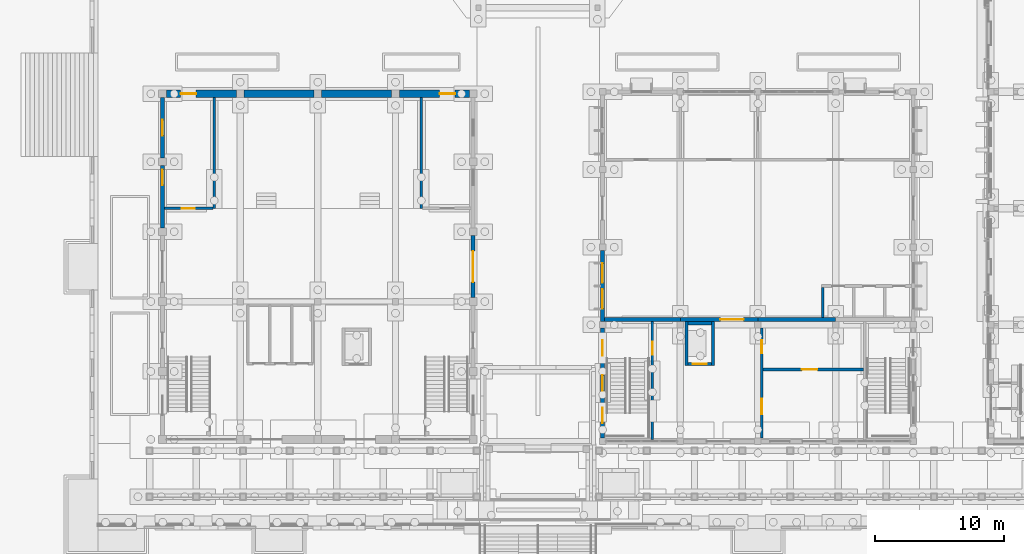
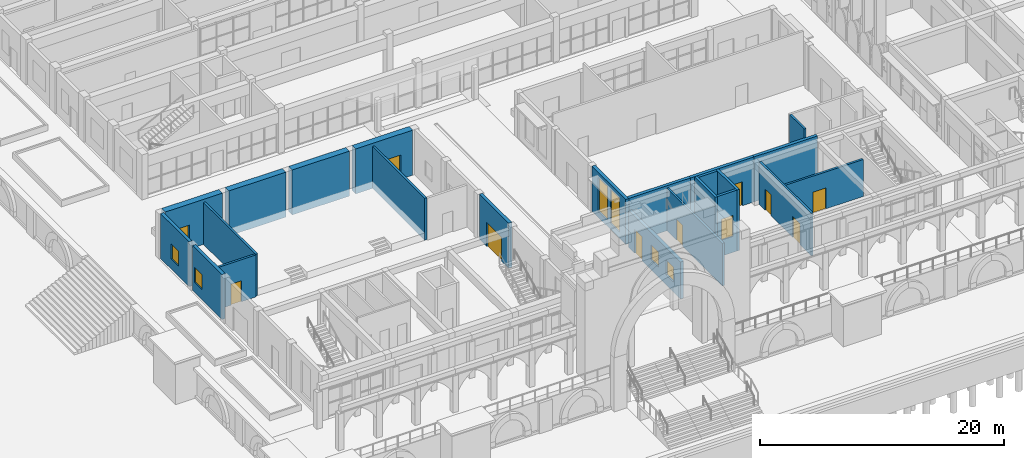
# One storey, part 54 of 161: 23 walls, 11 doors, 6 windows, 17 openings.
"""IFC4 building model written with IfcOpenShell, lengths in metres."""

from ifc_helpers import new_model, si_unit, direction, frame, frame_2d, origin, place, context, subcontext, project, spatial, rectangle, extrude, material, layer, layer_set, type_object, element, fill, save


model = new_model("IFC4")

# Units and contexts
model_context = context("Model", 3, precision=1e-05, world=origin(), true_north=direction((0.0, 1.0)))
body_context = subcontext(model_context, "Body", "Model", "MODEL_VIEW")
ifc_project = project(units=[si_unit("LENGTHUNIT", "METRE"), si_unit("AREAUNIT", "SQUARE_METRE"), si_unit("VOLUMEUNIT", "CUBIC_METRE"), si_unit("PLANEANGLEUNIT", "RADIAN"), si_unit("MASSUNIT", "GRAM", prefix="KILO")], contexts=[model_context])

# Site, building, storey
site_placement = place(None, origin())
site = spatial("IfcSite", under=ifc_project, at=site_placement, CompositionType="ELEMENT")
building_placement = place(site_placement, origin())
building = spatial("IfcBuilding", under=site, at=building_placement, Name="Elbe Cascade School", CompositionType="ELEMENT")
storey_placement = place(building_placement, origin())
storey = spatial("IfcBuildingStorey", under=building, at=storey_placement, Name="L00", CompositionType="ELEMENT", Elevation=0.0)

# Wall, opening, window
ifc_material_1 = material(Name="Concrete C30/37", Category="concrete")
ifc_layer_1 = layer(ifc_material_1, 0.300048828125)
ifc_layer_set_1 = layer_set([ifc_layer_1], Name="Concrete C30/37")
wall_type_1 = type_object("IfcWallType", Name="Assembly hall RC wall 300", PredefinedType="SOLIDWALL", material=ifc_layer_set_1)
wall_1_placement = place(storey_placement, frame((5.0, 22.5, 0.0), z_axis=(0.0, 0.0, 1.0), x_axis=(0.0, 1.0, 0.0)))
wall_1 = element("IfcWall", 1, at=wall_1_placement, inside=storey, type_object=wall_type_1, Name="Assembly hall RC wall 300 W5", PredefinedType="SOLIDWALL", context=body_context, shape_type="SweptSolid", body=[
    extrude(rectangle(XDim=4.800048828125, YDim=0.300048828125, at=frame_2d((2.39990234375, 0.0))), origin(), (0.0, 0.0, 1.0), 4.5),
])
opening_1_placement = place(wall_1_placement, frame((3.300048828125, 0.0, 1.0)))
opening_1 = element("IfcOpeningElement", 2, at=opening_1_placement, cuts=wall_1, Name="Opening W0.139", PredefinedType="OPENING", context=body_context, shape_type="SweptSolid", body=[
    extrude(rectangle(XDim=1.199951171875, YDim=1.5, at=frame_2d((0.60009765625, 0.75))), frame((0.0, 0.159912109375, 0.0), z_axis=(0.0, -1.0, 0.0), x_axis=(1.0, 0.0, 0.0)), (0.0, 0.0, 1.0), 0.320068359375),
])
ifc_material_2 = material(Name="Aluminium - bronze anodised", Category="aluminium")
window_type_1 = type_object("IfcWindowType", Name="Assembly hall small window 1200x1500 sill 1000", PartitioningType="SINGLE_PANEL", PredefinedType="WINDOW", material=ifc_material_2)
window_1_placement = place(opening_1_placement, origin())
window_1 = element("IfcWindow", 3, at=window_1_placement, inside=storey, type_object=window_type_1, Name="Assembly hall small window 1200x1500 sill 1000 W0.139", OverallHeight=1.5, OverallWidth=1.199951171875, PartitioningType="SINGLE_PANEL", PredefinedType="WINDOW", context=body_context, shape_type="SweptSolid", body=[
    extrude(rectangle(XDim=1.199951171875, YDim=1.5, at=frame_2d((0.60009765625, 0.75))), frame((0.0, 0.030029296875, 0.0), z_axis=(0.0, -1.0, 0.0), x_axis=(1.0, 0.0, 0.0)), (0.0, 0.0, 1.0), 0.06005859375),
])
fill(opening_1, window_1)

wall_2_placement = place(storey_placement, frame((5.0, 27.89990234375, 0.0), z_axis=(0.0, 0.0, 1.0), x_axis=(0.0, 1.0, 0.0)))
wall_2 = element("IfcWall", 4, at=wall_2_placement, inside=storey, type_object=wall_type_1, Name="Assembly hall RC wall 300 W5", PredefinedType="SOLIDWALL", context=body_context, shape_type="SweptSolid", body=[
    extrude(rectangle(XDim=4.650146484375, YDim=0.300048828125, at=frame_2d((2.3251953125, 0.0))), origin(), (0.0, 0.0, 1.0), 4.5),
])
opening_2_placement = place(wall_2_placement, frame((1.72509765625, 0.0, 1.0)))
opening_2 = element("IfcOpeningElement", 5, at=opening_2_placement, cuts=wall_2, Name="Opening W0.141", PredefinedType="OPENING", context=body_context, shape_type="SweptSolid", body=[
    extrude(rectangle(XDim=1.199951171875, YDim=1.5, at=frame_2d((0.60009765625, 0.75))), frame((0.0, 0.159912109375, 0.0), z_axis=(0.0, -1.0, 0.0), x_axis=(1.0, 0.0, 0.0)), (0.0, 0.0, 1.0), 0.320068359375),
])
window_2_placement = place(opening_2_placement, origin())
window_2 = element("IfcWindow", 6, at=window_2_placement, inside=storey, type_object=window_type_1, Name="Assembly hall small window 1200x1500 sill 1000 W0.141", OverallHeight=1.5, OverallWidth=1.199951171875, PartitioningType="SINGLE_PANEL", PredefinedType="WINDOW", context=body_context, shape_type="SweptSolid", body=[
    extrude(rectangle(XDim=1.199951171875, YDim=1.5, at=frame_2d((0.60009765625, 0.75))), frame((0.0, 0.030029296875, 0.0), z_axis=(0.0, -1.0, 0.0), x_axis=(1.0, 0.0, 0.0)), (0.0, 0.0, 1.0), 0.06005859375),
])
fill(opening_2, window_2)

# Wall, opening, door
wall_3_placement = place(storey_placement, frame((29.0, 21.89990234375, 0.0), z_axis=(0.0, 0.0, 1.0), x_axis=(0.0, -1.0, 0.0)))
wall_3 = element("IfcWall", 7, at=wall_3_placement, inside=storey, type_object=wall_type_1, Name="Assembly hall RC wall 300 W5", PredefinedType="SOLIDWALL", context=body_context, shape_type="SweptSolid", body=[
    extrude(rectangle(XDim=4.7998046875, YDim=0.300048828125, at=frame_2d((2.39990234375, 0.0))), origin(), (0.0, 0.0, 1.0), 4.5),
])
opening_3_placement = place(wall_3_placement, frame((1.199951171875, 0.0, 0.0)))
opening_3 = element("IfcOpeningElement", 8, at=opening_3_placement, cuts=wall_3, Name="Opening D0.164", PredefinedType="OPENING", context=body_context, shape_type="SweptSolid", body=[
    extrude(rectangle(XDim=2.39990234375, YDim=2.39990234375, at=frame_2d((1.199951171875, 1.199951171875))), frame((0.0, 0.159912109375, 0.0), z_axis=(0.0, -1.0, 0.0), x_axis=(1.0, 0.0, 0.0)), (0.0, 0.0, 1.0), 0.320068359375),
])
ifc_material_3 = material(Name="Timber - oak door leaf", Category="wood")
door_type_1 = type_object("IfcDoorType", Name="Assembly hall exit door 2400x2400 double NOT RATED", OperationType="DOUBLE_DOOR_SINGLE_SWING", PredefinedType="NOTDEFINED", material=ifc_material_3)
door_1_placement = place(opening_3_placement, origin())
door_1 = element("IfcDoor", 9, at=door_1_placement, inside=storey, type_object=door_type_1, Name="Assembly hall exit door 2400x2400 double NOT RATED D0.164", OperationType="DOUBLE_DOOR_SINGLE_SWING", OverallHeight=2.39990234375, OverallWidth=2.39990234375, PredefinedType="NOTDEFINED", context=body_context, shape_type="SweptSolid", body=[
    extrude(rectangle(XDim=2.39990234375, YDim=2.39990234375, at=frame_2d((1.199951171875, 1.199951171875))), frame((0.0, 0.02490234375, 0.0), z_axis=(0.0, -1.0, 0.0), x_axis=(1.0, 0.0, 0.0)), (0.0, 0.0, 1.0), 0.050048828125),
])
fill(opening_3, door_1)

# Walls
ifc_material_4 = material(Name="Concrete C30/37", Category="concrete")
ifc_layer_2 = layer(ifc_material_4, 0.199951171875)
ifc_layer_set_2 = layer_set([ifc_layer_2], Name="Concrete C30/37")
wall_type_2 = type_object("IfcWallType", Name="Assembly hall concrete partition wall 200", PredefinedType="SOLIDWALL", material=ifc_layer_set_2)
for number, where, z_axis, x_axis, name in (
    (10, (9.0, 24.0, 0.0), (0.0, 0.0, 1.0), (0.0, 1.0, 0.0), "Assembly hall concrete partition wall 200 W9"),
    (11, (25.0, 24.0, 0.0), (0.0, 0.0, 1.0), (0.0, 1.0, 0.0), "Assembly hall concrete partition wall 200 W9"),
):
    element("IfcWall", number, at=place(storey_placement, frame(where, z_axis=z_axis, x_axis=x_axis)), inside=storey, type_object=wall_type_2, Name=name, PredefinedType="SOLIDWALL", context=body_context, shape_type="SweptSolid", body=[
        extrude(rectangle(XDim=8.550048828125, YDim=0.199951171875, at=frame_2d((4.27490234375, 0.0))), origin(), (0.0, 0.0, 1.0), 4.199951171875),
    ])

# Wall, opening, door
wall_4_placement = place(storey_placement, frame((5.14990234375, 24.0, 0.0), z_axis=(0.0, 0.0, 1.0), x_axis=(1.0, 0.0, 0.0)))
wall_4 = element("IfcWall", 12, at=wall_4_placement, inside=storey, type_object=wall_type_2, Name="Assembly hall concrete partition wall 200 W9", PredefinedType="SOLIDWALL", context=body_context, shape_type="SweptSolid", body=[
    extrude(rectangle(XDim=3.75, YDim=0.199951171875, at=frame_2d((1.875, 0.0))), origin(), (0.0, 0.0, 1.0), 4.199951171875),
])
opening_4_placement = place(wall_4_placement, frame((1.35009765625, 0.0, 0.0)))
opening_4 = element("IfcOpeningElement", 13, at=opening_4_placement, cuts=wall_4, Name="Opening D0.165", PredefinedType="OPENING", context=body_context, shape_type="SweptSolid", body=[
    extrude(rectangle(XDim=1.0, YDim=2.10009765625, at=frame_2d((0.5, 1.050048828125))), frame((0.0, 0.10986328125, 0.0), z_axis=(0.0, -1.0, 0.0), x_axis=(1.0, 0.0, 0.0)), (0.0, 0.0, 1.0), 0.219970703125),
])
ifc_material_5 = material(Name="Timber - oak door leaf", Category="wood")
door_type_2 = type_object("IfcDoorType", Name="Assembly hall back-of-house door 1000x2100 swing NOT RATED", OperationType="NOTDEFINED", PredefinedType="NOTDEFINED", material=ifc_material_5)
door_2_placement = place(opening_4_placement, origin())
door_2 = element("IfcDoor", 14, at=door_2_placement, inside=storey, type_object=door_type_2, Name="Assembly hall back-of-house door 1000x2100 swing NOT RATED D0.165", OperationType="SINGLE_SWING_LEFT", OverallHeight=2.10009765625, OverallWidth=1.0, PredefinedType="NOTDEFINED", context=body_context, shape_type="SweptSolid", body=[
    extrude(rectangle(XDim=1.0, YDim=2.10009765625, at=frame_2d((0.5, 1.050048828125))), frame((0.0, 0.02490234375, 0.0), z_axis=(0.0, -1.0, 0.0), x_axis=(1.0, 0.0, 0.0)), (0.0, 0.0, 1.0), 0.050048828125),
])
fill(opening_4, door_2)

ifc_material_6 = material(Name="Concrete C30/37", Category="concrete")
ifc_layer_3 = layer(ifc_material_6, 0.60009765625)
ifc_layer_set_3 = layer_set([ifc_layer_3], Name="Concrete C30/37")
wall_type_3 = type_object("IfcWallType", Name="Assembly hall gable wall 600", PredefinedType="SOLIDWALL", material=ifc_layer_set_3)
wall_5_placement = place(storey_placement, frame((5.300048828125, 32.85009765625, 0.0), z_axis=(0.0, 0.0, 1.0), x_axis=(1.0, 0.0, 0.0)))
wall_5 = element("IfcWall", 15, at=wall_5_placement, inside=storey, type_object=wall_type_3, Name="Assembly hall gable wall 600 W6", PredefinedType="SOLIDWALL", context=body_context, shape_type="SweptSolid", body=[
    extrude(rectangle(XDim=5.39990234375, YDim=0.60009765625, at=frame_2d((2.699951171875, 0.0))), origin(), (0.0, 0.0, 1.0), 4.5),
])
opening_5_placement = place(wall_5_placement, frame((1.10009765625, 0.0, 0.0)))
opening_5 = element("IfcOpeningElement", 16, at=opening_5_placement, cuts=wall_5, Name="Opening D0.167", PredefinedType="OPENING", context=body_context, shape_type="SweptSolid", body=[
    extrude(rectangle(XDim=1.199951171875, YDim=2.39990234375, at=frame_2d((0.60009765625, 1.199951171875))), frame((0.0, 0.31005859375, 0.0), z_axis=(0.0, -1.0, 0.0), x_axis=(1.0, 0.0, 0.0)), (0.0, 0.0, 1.0), 0.6201171875),
])
ifc_material_7 = material(Name="Timber - oak door leaf", Category="wood")
door_type_3 = type_object("IfcDoorType", Name="Assembly hall stage door 1200x2400 swing NOT RATED", OperationType="NOTDEFINED", PredefinedType="NOTDEFINED", material=ifc_material_7)
door_3_placement = place(opening_5_placement, origin())
door_3 = element("IfcDoor", 17, at=door_3_placement, inside=storey, type_object=door_type_3, Name="Assembly hall stage door 1200x2400 swing NOT RATED D0.167", OperationType="SINGLE_SWING_RIGHT", OverallHeight=2.39990234375, OverallWidth=1.199951171875, PredefinedType="NOTDEFINED", context=body_context, shape_type="SweptSolid", body=[
    extrude(rectangle(XDim=1.199951171875, YDim=2.39990234375, at=frame_2d((0.60009765625, 1.199951171875))), frame((0.0, 0.02490234375, 0.0), z_axis=(0.0, -1.0, 0.0), x_axis=(1.0, 0.0, 0.0)), (0.0, 0.0, 1.0), 0.050048828125),
])
fill(opening_5, door_3)

# Walls
for number, where, z_axis, x_axis, name in (
    (18, (11.300048828125, 32.85009765625, 0.0), (0.0, 0.0, 1.0), (1.0, 0.0, 0.0), "Assembly hall gable wall 600 W6"),
    (19, (17.300048828125, 32.85009765625, 0.0), (0.0, 0.0, 1.0), (1.0, 0.0, 0.0), "Assembly hall gable wall 600 W6"),
):
    element("IfcWall", number, at=place(storey_placement, frame(where, z_axis=z_axis, x_axis=x_axis)), inside=storey, type_object=wall_type_3, Name=name, PredefinedType="SOLIDWALL", context=body_context, shape_type="SweptSolid", body=[
        extrude(rectangle(XDim=5.39990234375, YDim=0.60009765625, at=frame_2d((2.699951171875, 0.0))), origin(), (0.0, 0.0, 1.0), 4.5),
    ])

# Wall, opening, door
wall_6_placement = place(storey_placement, frame((23.300048828125, 32.85009765625, 0.0), z_axis=(0.0, 0.0, 1.0), x_axis=(1.0, 0.0, 0.0)))
wall_6 = element("IfcWall", 20, at=wall_6_placement, inside=storey, type_object=wall_type_3, Name="Assembly hall gable wall 600 W6", PredefinedType="SOLIDWALL", context=body_context, shape_type="SweptSolid", body=[
    extrude(rectangle(XDim=5.39990234375, YDim=0.60009765625, at=frame_2d((2.699951171875, 0.0))), origin(), (0.0, 0.0, 1.0), 4.5),
])
opening_6_placement = place(wall_6_placement, frame((3.10009765625, 0.0, 0.0)))
opening_6 = element("IfcOpeningElement", 21, at=opening_6_placement, cuts=wall_6, Name="Opening D0.168", PredefinedType="OPENING", context=body_context, shape_type="SweptSolid", body=[
    extrude(rectangle(XDim=1.199951171875, YDim=2.39990234375, at=frame_2d((0.60009765625, 1.199951171875))), frame((0.0, 0.31005859375, 0.0), z_axis=(0.0, -1.0, 0.0), x_axis=(1.0, 0.0, 0.0)), (0.0, 0.0, 1.0), 0.6201171875),
])
door_4_placement = place(opening_6_placement, origin())
door_4 = element("IfcDoor", 22, at=door_4_placement, inside=storey, type_object=door_type_3, Name="Assembly hall stage door 1200x2400 swing NOT RATED D0.168", OperationType="SINGLE_SWING_LEFT", OverallHeight=2.39990234375, OverallWidth=1.199951171875, PredefinedType="NOTDEFINED", context=body_context, shape_type="SweptSolid", body=[
    extrude(rectangle(XDim=1.199951171875, YDim=2.39990234375, at=frame_2d((0.60009765625, 1.199951171875))), frame((0.0, 0.02490234375, 0.0), z_axis=(0.0, -1.0, 0.0), x_axis=(1.0, 0.0, 0.0)), (0.0, 0.0, 1.0), 0.050048828125),
])
fill(opening_6, door_4)

# Walls
ifc_material_8 = material(Name="Concrete C30/37", Category="concrete")
ifc_layer_4 = layer(ifc_material_8, 0.25)
ifc_layer_set_4 = layer_set([ifc_layer_4], Name="Concrete C30/37")
wall_type_4 = type_object("IfcWallType", Name="Cafe lift shaft wall 250", PredefinedType="SHEAR", material=ifc_layer_set_4)
for number, where, z_axis, x_axis, name in (
    (23, (45.47509765625, 11.85009765625, -1.60009765625), (0.0, 0.0, 1.0), (0.0, 1.0, 0.0), "Cafe lift shaft wall 250 W13"),
    (24, (47.52490234375, 11.85009765625, -1.60009765625), (0.0, 0.0, 1.0), (0.0, 1.0, 0.0), "Cafe lift shaft wall 250 W13"),
):
    element("IfcWall", number, at=place(storey_placement, frame(where, z_axis=z_axis, x_axis=x_axis)), inside=storey, type_object=wall_type_4, Name=name, PredefinedType="SHEAR", context=body_context, shape_type="SweptSolid", body=[
        extrude(rectangle(XDim=3.39990234375, YDim=0.25, at=frame_2d((1.699951171875, 0.0))), origin(), (0.0, 0.0, 1.0), 6.10009765625),
    ])

# Wall, opening, door
wall_7_placement = place(storey_placement, frame((45.60009765625, 11.97509765625, -1.60009765625), z_axis=(0.0, 0.0, 1.0), x_axis=(1.0, 0.0, 0.0)))
wall_7 = element("IfcWall", 25, at=wall_7_placement, inside=storey, type_object=wall_type_4, Name="Cafe lift shaft wall 250 W13", PredefinedType="SHEAR", context=body_context, shape_type="SweptSolid", body=[
    extrude(rectangle(XDim=1.7998046875, YDim=0.25, at=frame_2d((0.89990234375, 0.0))), origin(), (0.0, 0.0, 1.0), 6.10009765625),
])
opening_7_placement = place(wall_7_placement, frame((0.35009765625, 0.0, 1.60009765625)))
opening_7 = element("IfcOpeningElement", 26, at=opening_7_placement, cuts=wall_7, Name="Opening D0.173", PredefinedType="OPENING", context=body_context, shape_type="SweptSolid", body=[
    extrude(rectangle(XDim=1.10009765625, YDim=2.10009765625, at=frame_2d((0.550048828125, 1.050048828125))), frame((0.0, 0.135009765625, 0.0), z_axis=(0.0, -1.0, 0.0), x_axis=(1.0, 0.0, 0.0)), (0.0, 0.0, 1.0), 0.27001953125),
])
ifc_material_9 = material(Name="Steel - fire door leaf", Category="steel")
door_type_4 = type_object("IfcDoorType", Name="Cafe lift landing door 1100x2100 slide FD60", OperationType="SLIDING_TO_LEFT", PredefinedType="NOTDEFINED", material=ifc_material_9)
door_5_placement = place(opening_7_placement, origin())
door_5 = element("IfcDoor", 27, at=door_5_placement, inside=storey, type_object=door_type_4, Name="Cafe lift landing door 1100x2100 slide FD60 D0.173", OperationType="SLIDING_TO_LEFT", OverallHeight=2.10009765625, OverallWidth=1.10009765625, PredefinedType="NOTDEFINED", context=body_context, shape_type="SweptSolid", body=[
    extrude(rectangle(XDim=1.10009765625, YDim=2.10009765625, at=frame_2d((0.550048828125, 1.050048828125))), frame((0.0, 0.02490234375, 0.0), z_axis=(0.0, -1.0, 0.0), x_axis=(1.0, 0.0, 0.0)), (0.0, 0.0, 1.0), 0.050048828125),
])
fill(opening_7, door_5)

# Wall
wall_8_placement = place(storey_placement, frame((45.60009765625, 15.125, -1.60009765625), z_axis=(0.0, 0.0, 1.0), x_axis=(1.0, 0.0, 0.0)))
element("IfcWall", 28, at=wall_8_placement, inside=storey, type_object=wall_type_4, Name="Cafe lift shaft wall 250 W13", PredefinedType="SHEAR", context=body_context, shape_type="SweptSolid", body=[
    extrude(rectangle(XDim=1.7998046875, YDim=0.25, at=frame_2d((0.89990234375, 0.0))), origin(), (0.0, 0.0, 1.0), 6.10009765625),
])

# Wall, openings, doors
ifc_material_10 = material(Name="Masonry - rendered blockwork", Category="masonry")
ifc_layer_5 = layer(ifc_material_10, 0.199951171875)
ifc_layer_set_5 = layer_set([ifc_layer_5], Name="Masonry - rendered blockwork")
wall_type_5 = type_object("IfcWallType", Name="Cafe partition wall 200", PredefinedType="PARTITIONING", material=ifc_layer_set_5)
wall_9_placement = place(storey_placement, frame((51.300048828125, 6.25, 0.0), z_axis=(0.0, 0.0, 1.0), x_axis=(0.0, 1.0, 0.0)))
wall_9 = element("IfcWall", 29, at=wall_9_placement, inside=storey, type_object=wall_type_5, Name="Cafe partition wall 200 W40", PredefinedType="PARTITIONING", context=body_context, shape_type="SweptSolid", body=[
    extrude(rectangle(XDim=8.5, YDim=0.199951171875, at=frame_2d((4.25, 0.0))), origin(), (0.0, 0.0, 1.0), 4.25),
])
opening_8_placement = place(wall_9_placement, frame((1.85009765625, 0.0, 0.0)))
opening_8 = element("IfcOpeningElement", 30, at=opening_8_placement, cuts=wall_9, Name="Opening D0.171", PredefinedType="OPENING", context=body_context, shape_type="SweptSolid", body=[
    extrude(rectangle(XDim=1.199951171875, YDim=2.10009765625, at=frame_2d((0.60009765625, 1.050048828125))), frame((0.0, 0.10986328125, 0.0), z_axis=(0.0, -1.0, 0.0), x_axis=(1.0, 0.0, 0.0)), (0.0, 0.0, 1.0), 0.219970703125),
])
opening_9_placement = place(wall_9_placement, frame((6.550048828125, 0.0, 0.0)))
opening_9 = element("IfcOpeningElement", 31, at=opening_9_placement, cuts=wall_9, Name="Opening D0.177", PredefinedType="OPENING", context=body_context, shape_type="SweptSolid", body=[
    extrude(rectangle(XDim=1.0, YDim=2.10009765625, at=frame_2d((0.5, 1.050048828125))), frame((0.0, 0.10986328125, 0.0), z_axis=(0.0, -1.0, 0.0), x_axis=(1.0, 0.0, 0.0)), (0.0, 0.0, 1.0), 0.219970703125),
])
ifc_material_11 = material(Name="Timber - oak door leaf", Category="wood")
door_type_5 = type_object("IfcDoorType", Name="Cafe interior door 1200x2100 swing NOT RATED", OperationType="NOTDEFINED", PredefinedType="NOTDEFINED", material=ifc_material_11)
door_6_placement = place(opening_8_placement, origin())
door_6 = element("IfcDoor", 32, at=door_6_placement, inside=storey, type_object=door_type_5, Name="Cafe interior door 1200x2100 swing NOT RATED D0.171", OperationType="SINGLE_SWING_LEFT", OverallHeight=2.10009765625, OverallWidth=1.199951171875, PredefinedType="NOTDEFINED", context=body_context, shape_type="SweptSolid", body=[
    extrude(rectangle(XDim=1.199951171875, YDim=2.10009765625, at=frame_2d((0.60009765625, 1.050048828125))), frame((0.0, 0.02490234375, 0.0), z_axis=(0.0, -1.0, 0.0), x_axis=(1.0, 0.0, 0.0)), (0.0, 0.0, 1.0), 0.050048828125),
])
fill(opening_8, door_6)
ifc_material_12 = material(Name="Timber - oak door leaf", Category="wood")
door_type_6 = type_object("IfcDoorType", Name="Cafe service door 1000x2100 swing NOT RATED", OperationType="NOTDEFINED", PredefinedType="NOTDEFINED", material=ifc_material_12)
door_7_placement = place(opening_9_placement, origin())
door_7 = element("IfcDoor", 33, at=door_7_placement, inside=storey, type_object=door_type_6, Name="Cafe service door 1000x2100 swing NOT RATED D0.177", OperationType="SINGLE_SWING_RIGHT", OverallHeight=2.10009765625, OverallWidth=1.0, PredefinedType="NOTDEFINED", context=body_context, shape_type="SweptSolid", body=[
    extrude(rectangle(XDim=1.0, YDim=2.10009765625, at=frame_2d((0.5, 1.050048828125))), frame((0.0, 0.02490234375, 0.0), z_axis=(0.0, -1.0, 0.0), x_axis=(1.0, 0.0, 0.0)), (0.0, 0.0, 1.0), 0.050048828125),
])
fill(opening_9, door_7)

# Wall, opening, door
wall_10_placement = place(storey_placement, frame((51.39990234375, 11.550048828125, 0.0), z_axis=(0.0, 0.0, 1.0), x_axis=(1.0, 0.0, 0.0)))
wall_10 = element("IfcWall", 34, at=wall_10_placement, inside=storey, type_object=wall_type_5, Name="Cafe partition wall 200 W40", PredefinedType="PARTITIONING", context=body_context, shape_type="SweptSolid", body=[
    extrude(rectangle(XDim=7.75, YDim=0.199951171875, at=frame_2d((3.875, 0.0))), origin(), (0.0, 0.0, 1.0), 3.699951171875),
])
opening_10_placement = place(wall_10_placement, frame((3.0, 0.0, 0.0)))
opening_10 = element("IfcOpeningElement", 35, at=opening_10_placement, cuts=wall_10, Name="Opening D0.172", PredefinedType="OPENING", context=body_context, shape_type="SweptSolid", body=[
    extrude(rectangle(XDim=1.199951171875, YDim=2.10009765625, at=frame_2d((0.60009765625, 1.050048828125))), frame((0.0, 0.10986328125, 0.0), z_axis=(0.0, -1.0, 0.0), x_axis=(1.0, 0.0, 0.0)), (0.0, 0.0, 1.0), 0.219970703125),
])
door_8_placement = place(opening_10_placement, origin())
door_8 = element("IfcDoor", 36, at=door_8_placement, inside=storey, type_object=door_type_5, Name="Cafe interior door 1200x2100 swing NOT RATED D0.172", OperationType="SINGLE_SWING_LEFT", OverallHeight=2.10009765625, OverallWidth=1.199951171875, PredefinedType="NOTDEFINED", context=body_context, shape_type="SweptSolid", body=[
    extrude(rectangle(XDim=1.199951171875, YDim=2.10009765625, at=frame_2d((0.60009765625, 1.050048828125))), frame((0.0, 0.02490234375, 0.0), z_axis=(0.0, -1.0, 0.0), x_axis=(1.0, 0.0, 0.0)), (0.0, 0.0, 1.0), 0.050048828125),
])
fill(opening_10, door_8)

ifc_material_13 = material(Name="Concrete C30/37", Category="concrete")
ifc_layer_6 = layer(ifc_material_13, 0.199951171875)
ifc_layer_set_6 = layer_set([ifc_layer_6], Name="Concrete C30/37")
wall_type_6 = type_object("IfcWallType", Name="Cafe stair enclosure wall 200", PredefinedType="SOLIDWALL", material=ifc_layer_set_6)
wall_11_placement = place(storey_placement, frame((42.85009765625, 6.14990234375, 0.0), z_axis=(0.0, 0.0, 1.0), x_axis=(0.0, 1.0, 0.0)))
wall_11 = element("IfcWall", 37, at=wall_11_placement, inside=storey, type_object=wall_type_6, Name="Cafe stair enclosure wall 200 W39", PredefinedType="SOLIDWALL", context=body_context, shape_type="SweptSolid", body=[
    extrude(rectangle(XDim=9.10009765625, YDim=0.199951171875, at=frame_2d((4.550048828125, 0.0))), origin(), (0.0, 0.0, 1.0), 4.25),
])
opening_11_placement = place(wall_11_placement, frame((6.550048828125, 0.0, 0.0)))
opening_11 = element("IfcOpeningElement", 38, at=opening_11_placement, cuts=wall_11, Name="Opening D0.175", PredefinedType="OPENING", context=body_context, shape_type="SweptSolid", body=[
    extrude(rectangle(XDim=1.0, YDim=2.10009765625, at=frame_2d((0.5, 1.050048828125))), frame((0.0, 0.10986328125, 0.0), z_axis=(0.0, -1.0, 0.0), x_axis=(1.0, 0.0, 0.0)), (0.0, 0.0, 1.0), 0.219970703125),
])
ifc_material_14 = material(Name="Steel - fire door leaf", Category="steel")
door_type_7 = type_object("IfcDoorType", Name="Cafe stair door 1000x2100 swing FD30S", OperationType="NOTDEFINED", PredefinedType="NOTDEFINED", material=ifc_material_14)
door_9_placement = place(opening_11_placement, origin())
door_9 = element("IfcDoor", 39, at=door_9_placement, inside=storey, type_object=door_type_7, Name="Cafe stair door 1000x2100 swing FD30S D0.175", OperationType="SINGLE_SWING_RIGHT", OverallHeight=2.10009765625, OverallWidth=1.0, PredefinedType="NOTDEFINED", context=body_context, shape_type="SweptSolid", body=[
    extrude(rectangle(XDim=1.0, YDim=2.10009765625, at=frame_2d((0.5, 1.050048828125))), frame((0.0, 0.02490234375, 0.0), z_axis=(0.0, -1.0, 0.0), x_axis=(1.0, 0.0, 0.0)), (0.0, 0.0, 1.0), 0.050048828125),
])
fill(opening_11, door_9)

# Wall, openings, door, windows
ifc_material_15 = material(Name="Concrete C30/37", Category="concrete")
ifc_layer_7 = layer(ifc_material_15, 0.300048828125)
ifc_layer_set_7 = layer_set([ifc_layer_7], Name="Concrete C30/37")
wall_type_7 = type_object("IfcWallType", Name="Cafe wing RC wall 300", PredefinedType="SOLIDWALL", material=ifc_layer_set_7)
wall_12_placement = place(storey_placement, frame((39.0, 6.25, 0.0), z_axis=(0.0, 0.0, 1.0), x_axis=(0.0, 1.0, 0.0)))
wall_12 = element("IfcWall", 40, at=wall_12_placement, inside=storey, type_object=wall_type_7, Name="Cafe wing RC wall 300 W10", PredefinedType="SOLIDWALL", context=body_context, shape_type="SweptSolid", body=[
    extrude(rectangle(XDim=8.5, YDim=0.300048828125, at=frame_2d((4.25, 0.0))), origin(), (0.0, 0.0, 1.0), 3.699951171875),
])
opening_12_placement = place(wall_12_placement, frame((6.35009765625, 0.0, 0.0)))
opening_12 = element("IfcOpeningElement", 41, at=opening_12_placement, cuts=wall_12, Name="Opening D0.174", PredefinedType="OPENING", context=body_context, shape_type="SweptSolid", body=[
    extrude(rectangle(XDim=1.199951171875, YDim=2.39990234375, at=frame_2d((0.60009765625, 1.199951171875))), frame((0.0, 0.159912109375, 0.0), z_axis=(0.0, -1.0, 0.0), x_axis=(1.0, 0.0, 0.0)), (0.0, 0.0, 1.0), 0.320068359375),
])
opening_13_placement = place(wall_12_placement, frame((1.14990234375, 0.0, 1.0)))
opening_13 = element("IfcOpeningElement", 42, at=opening_13_placement, cuts=wall_12, Name="Opening W0.144", PredefinedType="OPENING", context=body_context, shape_type="SweptSolid", body=[
    extrude(rectangle(XDim=1.199951171875, YDim=1.5, at=frame_2d((0.60009765625, 0.75))), frame((0.0, 0.159912109375, 0.0), z_axis=(0.0, -1.0, 0.0), x_axis=(1.0, 0.0, 0.0)), (0.0, 0.0, 1.0), 0.320068359375),
])
opening_14_placement = place(wall_12_placement, frame((3.64990234375, 0.0, 1.0)))
opening_14 = element("IfcOpeningElement", 43, at=opening_14_placement, cuts=wall_12, Name="Opening W0.146", PredefinedType="OPENING", context=body_context, shape_type="SweptSolid", body=[
    extrude(rectangle(XDim=1.199951171875, YDim=1.5, at=frame_2d((0.60009765625, 0.75))), frame((0.0, 0.159912109375, 0.0), z_axis=(0.0, -1.0, 0.0), x_axis=(1.0, 0.0, 0.0)), (0.0, 0.0, 1.0), 0.320068359375),
])
ifc_material_16 = material(Name="Steel - fire door leaf", Category="steel")
door_type_8 = type_object("IfcDoorType", Name="Cafe stair exit door 1200x2400 swing FD30S", OperationType="NOTDEFINED", PredefinedType="NOTDEFINED", material=ifc_material_16)
door_10_placement = place(opening_12_placement, origin())
door_10 = element("IfcDoor", 44, at=door_10_placement, inside=storey, type_object=door_type_8, Name="Cafe stair exit door 1200x2400 swing FD30S D0.174", OperationType="SINGLE_SWING_RIGHT", OverallHeight=2.39990234375, OverallWidth=1.199951171875, PredefinedType="NOTDEFINED", context=body_context, shape_type="SweptSolid", body=[
    extrude(rectangle(XDim=1.199951171875, YDim=2.39990234375, at=frame_2d((0.60009765625, 1.199951171875))), frame((0.0, 0.02490234375, 0.0), z_axis=(0.0, -1.0, 0.0), x_axis=(1.0, 0.0, 0.0)), (0.0, 0.0, 1.0), 0.050048828125),
])
fill(opening_12, door_10)
ifc_material_17 = material(Name="Aluminium - bronze anodised", Category="aluminium")
window_type_2 = type_object("IfcWindowType", Name="Cafe wing small window 1200x1500 sill 1000", PartitioningType="SINGLE_PANEL", PredefinedType="WINDOW", material=ifc_material_17)
window_3_placement = place(opening_13_placement, origin())
window_3 = element("IfcWindow", 45, at=window_3_placement, inside=storey, type_object=window_type_2, Name="Cafe wing small window 1200x1500 sill 1000 W0.144", OverallHeight=1.5, OverallWidth=1.199951171875, PartitioningType="SINGLE_PANEL", PredefinedType="WINDOW", context=body_context, shape_type="SweptSolid", body=[
    extrude(rectangle(XDim=1.199951171875, YDim=1.5, at=frame_2d((0.60009765625, 0.75))), frame((0.0, 0.030029296875, 0.0), z_axis=(0.0, -1.0, 0.0), x_axis=(1.0, 0.0, 0.0)), (0.0, 0.0, 1.0), 0.06005859375),
])
fill(opening_13, window_3)
window_4_placement = place(opening_14_placement, origin())
window_4 = element("IfcWindow", 46, at=window_4_placement, inside=storey, type_object=window_type_2, Name="Cafe wing small window 1200x1500 sill 1000 W0.146", OverallHeight=1.5, OverallWidth=1.199951171875, PartitioningType="SINGLE_PANEL", PredefinedType="WINDOW", context=body_context, shape_type="SweptSolid", body=[
    extrude(rectangle(XDim=1.199951171875, YDim=1.5, at=frame_2d((0.60009765625, 0.75))), frame((0.0, 0.030029296875, 0.0), z_axis=(0.0, -1.0, 0.0), x_axis=(1.0, 0.0, 0.0)), (0.0, 0.0, 1.0), 0.06005859375),
])
fill(opening_14, window_4)

# Wall
ifc_material_18 = material(Name="Concrete C30/37", Category="concrete")
ifc_layer_8 = layer(ifc_material_18, 0.300048828125)
ifc_layer_set_8 = layer_set([ifc_layer_8], Name="Concrete C30/37")
wall_type_8 = type_object("IfcWallType", Name="Dining hall RC wall 300", PredefinedType="SOLIDWALL", material=ifc_layer_set_8)
wall_13_placement = place(storey_placement, frame((45.0, 15.39990234375, 0.0), z_axis=(0.0, 0.0, 1.0), x_axis=(-1.0, 0.0, 0.0)))
element("IfcWall", 47, at=wall_13_placement, inside=storey, type_object=wall_type_8, Name="Dining hall RC wall 300 W11", PredefinedType="SOLIDWALL", context=body_context, shape_type="SweptSolid", body=[
    extrude(rectangle(XDim=5.85009765625, YDim=0.300048828125, at=frame_2d((2.925048828125, 0.0))), origin(), (0.0, 0.0, 1.0), 4.5),
])

# Wall, opening, door
wall_14_placement = place(storey_placement, frame((51.0, 15.39990234375, 0.0), z_axis=(0.0, 0.0, 1.0), x_axis=(-1.0, 0.0, 0.0)))
wall_14 = element("IfcWall", 48, at=wall_14_placement, inside=storey, type_object=wall_type_8, Name="Dining hall RC wall 300 W11", PredefinedType="SOLIDWALL", context=body_context, shape_type="SweptSolid", body=[
    extrude(rectangle(XDim=6.0, YDim=0.300048828125, at=frame_2d((3.0, 0.0))), origin(), (0.0, 0.0, 1.0), 4.5),
])
opening_15_placement = place(wall_14_placement, frame((1.10009765625, 0.0, 0.0)))
opening_15 = element("IfcOpeningElement", 49, at=opening_15_placement, cuts=wall_14, Name="Opening D0.178", PredefinedType="OPENING", context=body_context, shape_type="SweptSolid", body=[
    extrude(rectangle(XDim=1.800048828125, YDim=2.39990234375, at=frame_2d((0.89990234375, 1.199951171875))), frame((0.0, 0.159912109375, 0.0), z_axis=(0.0, -1.0, 0.0), x_axis=(1.0, 0.0, 0.0)), (0.0, 0.0, 1.0), 0.320068359375),
])
ifc_material_19 = material(Name="Timber - oak door leaf", Category="wood")
door_type_9 = type_object("IfcDoorType", Name="Dining hall entrance door 1800x2400 double NOT RATED", OperationType="DOUBLE_DOOR_SINGLE_SWING", PredefinedType="NOTDEFINED", material=ifc_material_19)
door_11_placement = place(opening_15_placement, origin())
door_11 = element("IfcDoor", 50, at=door_11_placement, inside=storey, type_object=door_type_9, Name="Dining hall entrance door 1800x2400 double NOT RATED D0.178", OperationType="DOUBLE_DOOR_SINGLE_SWING", OverallHeight=2.39990234375, OverallWidth=1.800048828125, PredefinedType="NOTDEFINED", context=body_context, shape_type="SweptSolid", body=[
    extrude(rectangle(XDim=1.800048828125, YDim=2.39990234375, at=frame_2d((0.89990234375, 1.199951171875))), frame((0.0, 0.02490234375, 0.0), z_axis=(0.0, -1.0, 0.0), x_axis=(1.0, 0.0, 0.0)), (0.0, 0.0, 1.0), 0.050048828125),
])
fill(opening_15, door_11)

# Wall
wall_15_placement = place(storey_placement, frame((57.0, 15.39990234375, 0.0), z_axis=(0.0, 0.0, 1.0), x_axis=(-1.0, 0.0, 0.0)))
element("IfcWall", 51, at=wall_15_placement, inside=storey, type_object=wall_type_8, Name="Dining hall RC wall 300 W11", PredefinedType="SOLIDWALL", context=body_context, shape_type="SweptSolid", body=[
    extrude(rectangle(XDim=6.0, YDim=0.300048828125, at=frame_2d((3.0, 0.0))), origin(), (0.0, 0.0, 1.0), 4.5),
])

# Wall, openings, windows
wall_16_placement = place(storey_placement, frame((39.0, 15.25, 0.0), z_axis=(0.0, 0.0, 1.0), x_axis=(0.0, 1.0, 0.0)))
wall_16 = element("IfcWall", 52, at=wall_16_placement, inside=storey, type_object=wall_type_8, Name="Dining hall RC wall 300 W11", PredefinedType="SOLIDWALL", context=body_context, shape_type="SweptSolid", body=[
    extrude(rectangle(XDim=5.5, YDim=0.300048828125, at=frame_2d((2.75, 0.0))), origin(), (0.0, 0.0, 1.0), 4.5),
])
opening_16_placement = place(wall_16_placement, frame((1.0, 0.0, 0.60009765625)))
opening_16 = element("IfcOpeningElement", 53, at=opening_16_placement, cuts=wall_16, Name="Opening W0.148", PredefinedType="OPENING", context=body_context, shape_type="SweptSolid", body=[
    extrude(rectangle(XDim=1.5, YDim=3.39990234375, at=frame_2d((0.75, 1.699951171875))), frame((0.0, 0.159912109375, 0.0), z_axis=(0.0, -1.0, 0.0), x_axis=(1.0, 0.0, 0.0)), (0.0, 0.0, 1.0), 0.320068359375),
])
opening_17_placement = place(wall_16_placement, frame((3.0, 0.0, 0.60009765625)))
opening_17 = element("IfcOpeningElement", 54, at=opening_17_placement, cuts=wall_16, Name="Opening W0.150", PredefinedType="OPENING", context=body_context, shape_type="SweptSolid", body=[
    extrude(rectangle(XDim=1.5, YDim=3.39990234375, at=frame_2d((0.75, 1.699951171875))), frame((0.0, 0.159912109375, 0.0), z_axis=(0.0, -1.0, 0.0), x_axis=(1.0, 0.0, 0.0)), (0.0, 0.0, 1.0), 0.320068359375),
])
ifc_material_20 = material(Name="Aluminium - bronze anodised", Category="aluminium")
window_type_3 = type_object("IfcWindowType", Name="Dining hall window 1500x3400 sill 600", PartitioningType="SINGLE_PANEL", PredefinedType="WINDOW", material=ifc_material_20)
window_5_placement = place(opening_16_placement, origin())
window_5 = element("IfcWindow", 55, at=window_5_placement, inside=storey, type_object=window_type_3, Name="Dining hall window 1500x3400 sill 600 W0.148", OverallHeight=3.39990234375, OverallWidth=1.5, PartitioningType="SINGLE_PANEL", PredefinedType="WINDOW", context=body_context, shape_type="SweptSolid", body=[
    extrude(rectangle(XDim=1.5, YDim=3.39990234375, at=frame_2d((0.75, 1.699951171875))), frame((0.0, 0.030029296875, 0.0), z_axis=(0.0, -1.0, 0.0), x_axis=(1.0, 0.0, 0.0)), (0.0, 0.0, 1.0), 0.06005859375),
])
fill(opening_16, window_5)
window_6_placement = place(opening_17_placement, origin())
window_6 = element("IfcWindow", 56, at=window_6_placement, inside=storey, type_object=window_type_3, Name="Dining hall window 1500x3400 sill 600 W0.150", OverallHeight=3.39990234375, OverallWidth=1.5, PartitioningType="SINGLE_PANEL", PredefinedType="WINDOW", context=body_context, shape_type="SweptSolid", body=[
    extrude(rectangle(XDim=1.5, YDim=3.39990234375, at=frame_2d((0.75, 1.699951171875))), frame((0.0, 0.030029296875, 0.0), z_axis=(0.0, -1.0, 0.0), x_axis=(1.0, 0.0, 0.0)), (0.0, 0.0, 1.0), 0.06005859375),
])
fill(opening_17, window_6)

# Wall
ifc_material_21 = material(Name="Masonry - rendered blockwork", Category="masonry")
ifc_layer_9 = layer(ifc_material_21, 0.199951171875)
ifc_layer_set_9 = layer_set([ifc_layer_9], Name="Masonry - rendered blockwork")
wall_type_9 = type_object("IfcWallType", Name="Dining partition wall 200", PredefinedType="PARTITIONING", material=ifc_layer_set_9)
wall_17_placement = place(storey_placement, frame((56.0, 15.550048828125, 0.0), z_axis=(0.0, 0.0, 1.0), x_axis=(0.0, 1.0, 0.0)))
element("IfcWall", 57, at=wall_17_placement, inside=storey, type_object=wall_type_9, Name="Dining partition wall 200 W41", PredefinedType="PARTITIONING", context=body_context, shape_type="SweptSolid", body=[
    extrude(rectangle(XDim=2.349853515625, YDim=0.199951171875, at=frame_2d((1.1748046875, 0.0))), origin(), (0.0, 0.0, 1.0), 5.39990234375),
])

save(model, "model.ifc")
